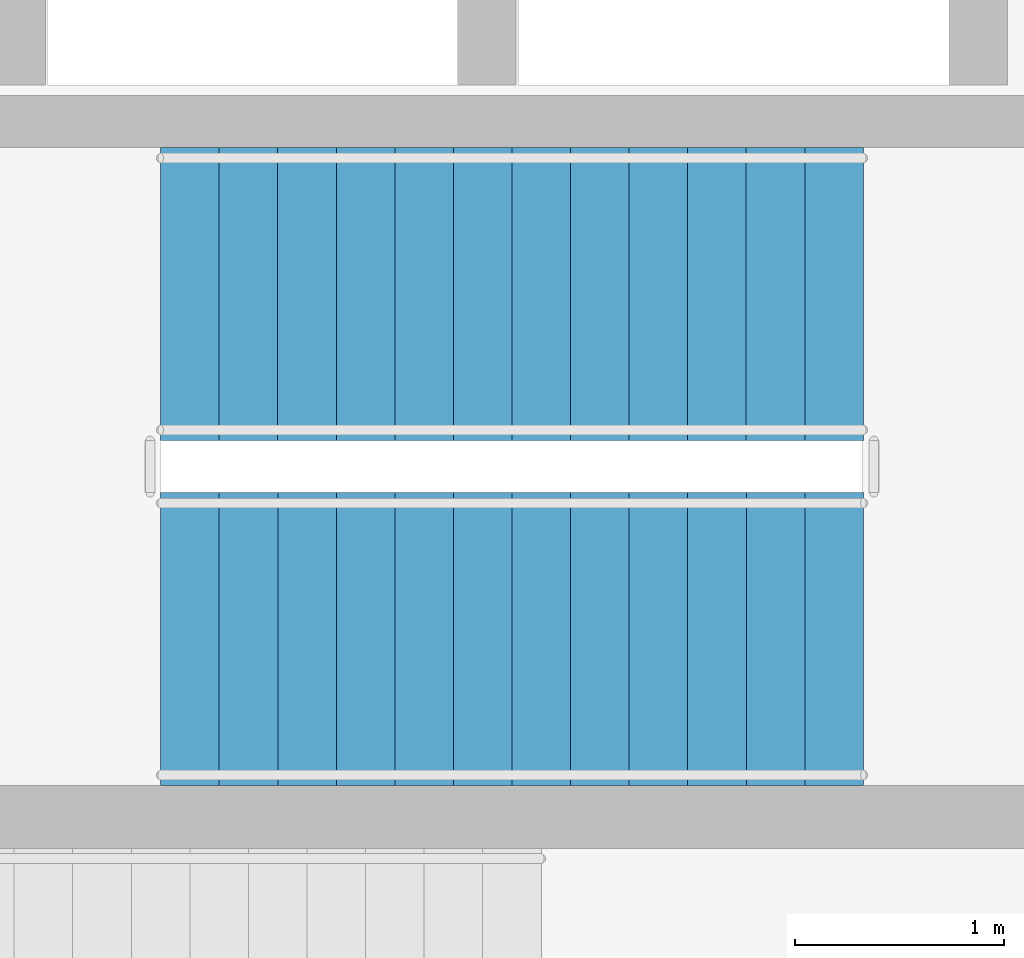
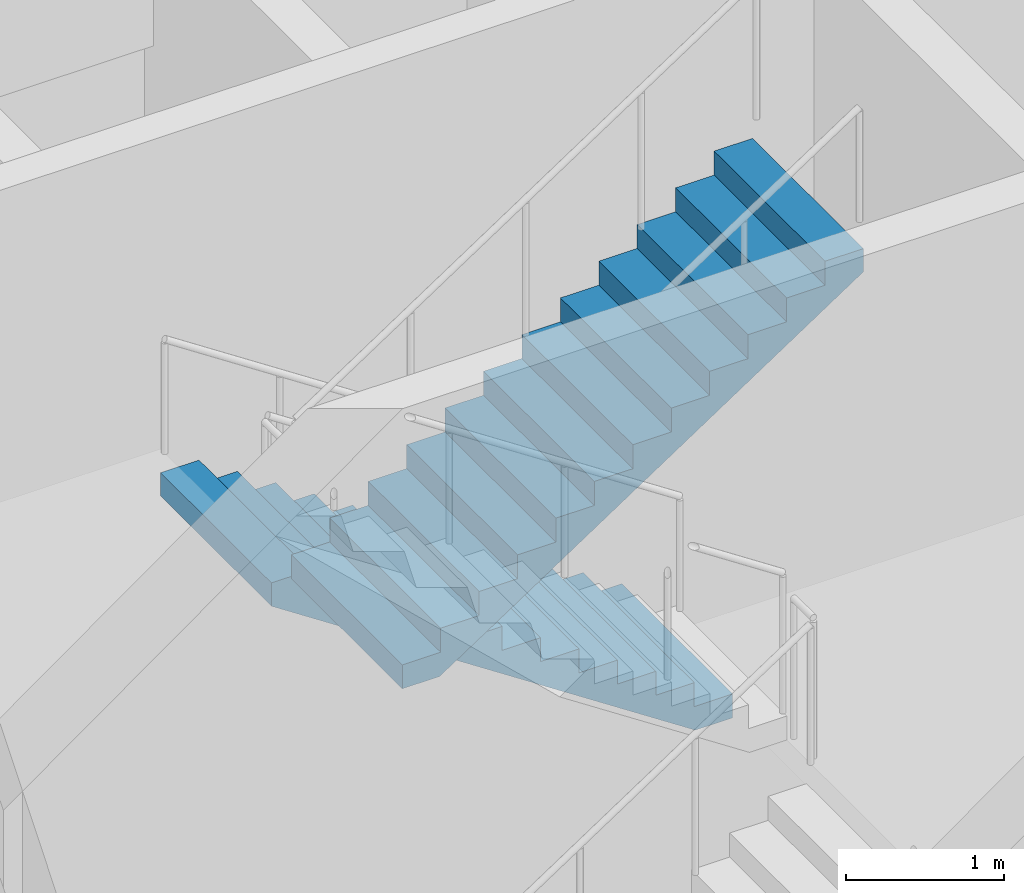
# One storey, part 5 of 7: 2 stair flights, 1 element without a shape of its own.
"""IFC4 building model written with IfcOpenShell, lengths in metres."""

from ifc_helpers import new_model, si_unit, direction, frame, origin, place, context, subcontext, project, spatial, polyline, outline, extrude, material, type_object, element, aggregate, save


model = new_model("IFC4")

# Units and contexts
model_context = context("Model", 3, precision=1e-05, world=origin(), true_north=direction((0.0, 1.0)))
body_context = subcontext(model_context, "Body", "Model", "MODEL_VIEW")
ifc_project = project(units=[si_unit("LENGTHUNIT", "METRE"), si_unit("AREAUNIT", "SQUARE_METRE"), si_unit("VOLUMEUNIT", "CUBIC_METRE"), si_unit("PLANEANGLEUNIT", "RADIAN"), si_unit("MASSUNIT", "GRAM", prefix="KILO")], contexts=[model_context])

# Site, building, storey
site_placement = place(None, origin())
site = spatial("IfcSite", under=ifc_project, at=site_placement, CompositionType="ELEMENT")
building_placement = place(site_placement, origin())
building = spatial("IfcBuilding", under=site, at=building_placement, Name="Solvirekh Grand Hotel", CompositionType="ELEMENT")
storey_placement = place(building_placement, frame((0.0, 0.0, 163.800048828125)))
storey = spatial("IfcBuildingStorey", under=building, at=storey_placement, Name="L42", CompositionType="ELEMENT", Elevation=163.800048828125)

# Stair, stair flights
ifc_material = material(Name="Concrete C40/50", Category="concrete")
stair_type = type_object("IfcStairType", Name="Stair_Core_1450", PredefinedType="HALF_TURN_STAIR", material=ifc_material)
stair_placement = place(storey_placement, origin())
stair = element("IfcStair", 1, at=stair_placement, inside=storey, type_object=stair_type, Name="L42 Enclosed exit stair ST-2", PredefinedType="HALF_TURN_STAIR")
stair_flight_type = type_object("IfcStairFlightType", Name="Flight_Core_1450", PredefinedType="STRAIGHT", material=ifc_material)
stair_flight_1_placement = place(storey_placement, frame((2.449951171875, 2.5, 0.0), z_axis=(0.0, 0.0, 1.0), x_axis=(-1.0, 0.0, 0.0)))
stair_flight_1 = element("IfcStairFlight", 2, at=stair_flight_1_placement, type_object=stair_flight_type, Name="ST-2 flight 1", NumberOfRisers=13, NumberOfTreads=12, PredefinedType="STRAIGHT", RiserHeight=0.184615385, TreadLength=0.28, context=body_context, shape_type="SweptSolid", body=[
    extrude(outline(polyline([(0.0, 0.0), (0.0, 0.1845703125), (0.280029296875, 0.1845703125), (0.280029296875, 0.369140625), (0.56005859375, 0.369140625), (0.56005859375, 0.553955078125), (0.840087890625, 0.553955078125), (0.840087890625, 0.738525390625), (1.1201171875, 0.738525390625), (1.1201171875, 0.923095703125), (1.39990234375, 0.923095703125), (1.39990234375, 1.107666015625), (1.679931640625, 1.107666015625), (1.679931640625, 1.292236328125), (1.9599609375, 1.292236328125), (1.9599609375, 1.476806640625), (2.239990234375, 1.476806640625), (2.239990234375, 1.66162109375), (2.52001953125, 1.66162109375), (2.52001953125, 1.84619140625), (2.800048828125, 1.84619140625), (2.800048828125, 2.03076171875), (3.080078125, 2.03076171875), (3.080078125, 2.21533203125), (3.360107421875, 2.21533203125), (3.360107421875, 2.39990234375), (3.360107421875, 2.035888671875), (0.272216796875, 0.0), (0.0, 0.0)])), frame((0.0, 0.699951171875, 0.0), z_axis=(0.0, -1.0, 0.0), x_axis=(1.0, 0.0, 0.0)), (0.0, 0.0, 1.0), 1.39990234375),
])
stair_flight_2_placement = place(storey_placement, frame((-0.909912109375, 0.85009765625, 2.39990234375), z_axis=(0.0, 0.0, 1.0), x_axis=(1.0, 0.0, 0.0)))
stair_flight_2 = element("IfcStairFlight", 3, at=stair_flight_2_placement, type_object=stair_flight_type, Name="ST-2 flight 2", NumberOfRisers=13, NumberOfTreads=12, PredefinedType="STRAIGHT", RiserHeight=0.184615385, TreadLength=0.28, context=body_context, shape_type="SweptSolid", body=[
    extrude(outline(polyline([(0.0, 0.0), (0.0, 0.1845703125), (0.280029296875, 0.1845703125), (0.280029296875, 0.369140625), (0.56005859375, 0.369140625), (0.56005859375, 0.553955078125), (0.840087890625, 0.553955078125), (0.840087890625, 0.738525390625), (1.1201171875, 0.738525390625), (1.1201171875, 0.923095703125), (1.39990234375, 0.923095703125), (1.39990234375, 1.107666015625), (1.679931640625, 1.107666015625), (1.679931640625, 1.292236328125), (1.9599609375, 1.292236328125), (1.9599609375, 1.476806640625), (2.239990234375, 1.476806640625), (2.239990234375, 1.66162109375), (2.52001953125, 1.66162109375), (2.52001953125, 1.84619140625), (2.800048828125, 1.84619140625), (2.800048828125, 2.03076171875), (3.080078125, 2.03076171875), (3.080078125, 2.21533203125), (3.360107421875, 2.21533203125), (3.360107421875, 2.39990234375), (3.360107421875, 2.035888671875), (0.272216796875, 0.0), (0.0, 0.0)])), frame((0.0, 0.699951171875, 0.0), z_axis=(0.0, -1.0, 0.0), x_axis=(1.0, 0.0, 0.0)), (0.0, 0.0, 1.0), 1.39990234375),
])
aggregate(stair, [stair_flight_1, stair_flight_2])

save(model, "model.ifc")
